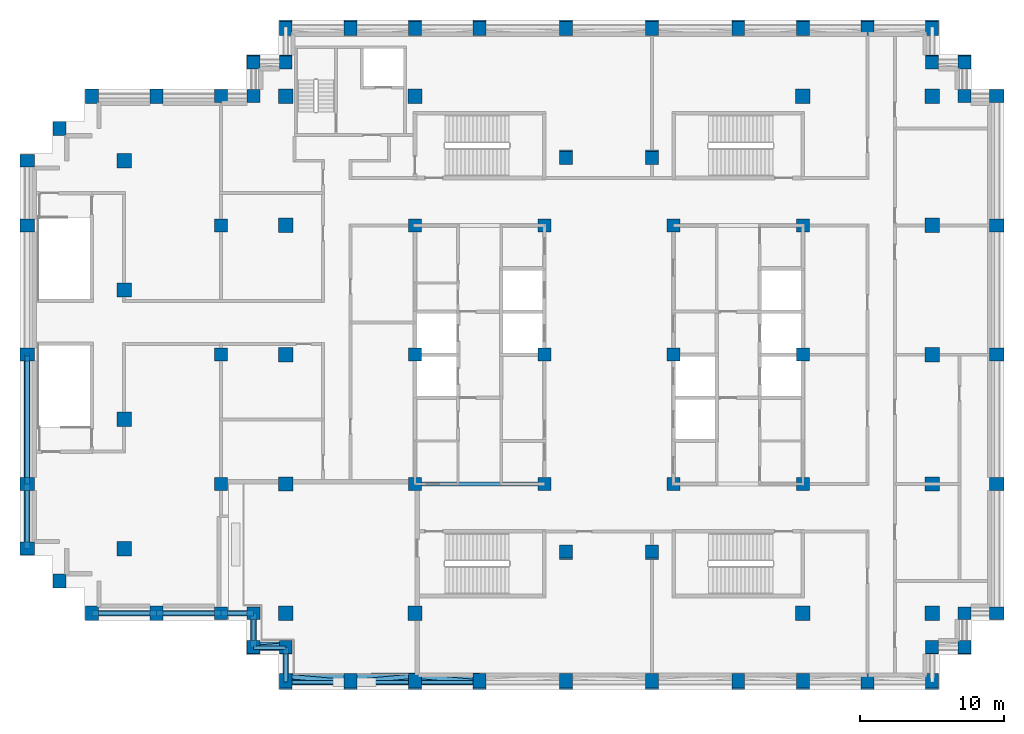
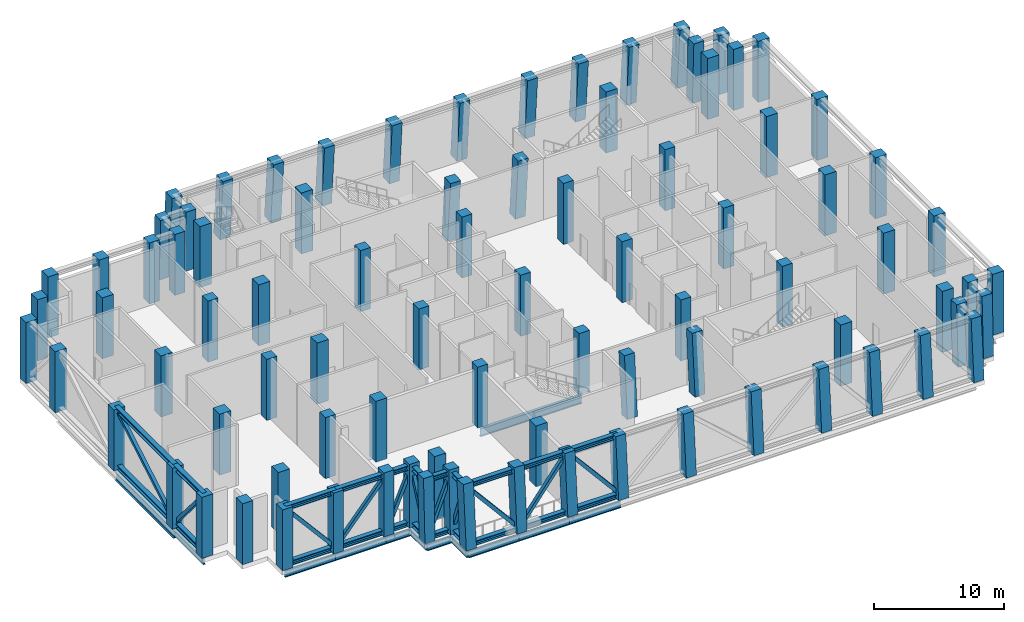
# One storey, part 1 of 10: 87 columns, 33 members, 12 beams.
"""IFC4 building model written with IfcOpenShell, lengths in metres."""

from ifc_helpers import new_model, si_unit, direction, frame, origin, origin_2d, place, context, subcontext, project, spatial, rectangle, hollow_rectangle, i_section, extrude, material, material_profile, profile_set, type_object, element, save


model = new_model("IFC4")

# Units and contexts
model_context = context("Model", 3, precision=1e-05, world=origin(), true_north=direction((0.0, 1.0)))
body_context = subcontext(model_context, "Body", "Model", "MODEL_VIEW")
ifc_project = project(units=[si_unit("LENGTHUNIT", "METRE"), si_unit("AREAUNIT", "SQUARE_METRE"), si_unit("VOLUMEUNIT", "CUBIC_METRE"), si_unit("PLANEANGLEUNIT", "RADIAN"), si_unit("MASSUNIT", "GRAM", prefix="KILO")], contexts=[model_context])

# Site, building, storey
site_placement = place(None, origin())
site = spatial("IfcSite", under=ifc_project, at=site_placement, CompositionType="ELEMENT")
building_placement = place(site_placement, origin())
building = spatial("IfcBuilding", under=site, at=building_placement, Name="Corbelhall Arena Tower", CompositionType="ELEMENT")
storey_placement = place(building_placement, frame((0.0, 0.0, 236.0)))
storey = spatial("IfcBuildingStorey", under=building, at=storey_placement, Name="L50", CompositionType="ELEMENT", Elevation=236.0)

# Columns
ifc_material_1 = material(Name="Concrete C80/95", Category="concrete")
ifc_material_profile_1 = material_profile(ifc_material_1, rectangle(XDim=1.0, YDim=1.0, at=origin_2d()))
ifc_profile_set_1 = profile_set([ifc_material_profile_1], Name="Concrete C80/95")
column_type_1 = type_object("IfcColumnType", Name="ST-COL-RC 1000x1000", PredefinedType="COLUMN", material=ifc_profile_set_1)
for number, where, z_axis, x_axis, name in (
    (1, (-33.75, 4.5, 0.0), (0.0, 0.0, 1.0), (1.0, 0.0, 0.0), "Column FIC+0450"),
    (2, (-33.75, 13.5, 0.0), (0.0, 0.0, 1.0), (1.0, 0.0, 0.0), "Column FIC+1350"),
    (3, (-33.75, -4.5, 0.0), (0.0, 0.0, 1.0), (1.0, 0.0, 0.0), "Column FIC-0450"),
    (4, (-33.75, -13.5, 0.0), (0.0, 0.0, 1.0), (1.0, 0.0, 0.0), "Column FIC-1350"),
    (5, (13.5, 18.0, 0.0), (0.0, 0.0, 1.0), (1.0, 0.0, 0.0), "Column IE13+1800"),
    (6, (13.5, -18.0, 0.0), (0.0, 0.0, 1.0), (1.0, 0.0, 0.0), "Column IE13-1800"),
    (7, (22.5, 0.0, 0.0), (0.0, 0.0, 1.0), (1.0, 0.0, 0.0), "Column IE22+0000"),
    (8, (22.5, 9.0, 0.0), (0.0, 0.0, 1.0), (1.0, 0.0, 0.0), "Column IE22+0900"),
    (9, (22.5, 18.0, 0.0), (0.0, 0.0, 1.0), (1.0, 0.0, 0.0), "Column IE22+1800"),
    (10, (22.5, -9.0, 0.0), (0.0, 0.0, 1.0), (1.0, 0.0, 0.0), "Column IE22-0900"),
    (11, (22.5, -18.0, 0.0), (0.0, 0.0, 1.0), (1.0, 0.0, 0.0), "Column IE22-1800"),
    (12, (-13.5, 18.0, 0.0), (0.0, 0.0, 1.0), (1.0, 0.0, 0.0), "Column IW13+1800"),
    (13, (-13.5, -18.0, 0.0), (0.0, 0.0, 1.0), (1.0, 0.0, 0.0), "Column IW13-1800"),
    (14, (-22.5, 0.0, 0.0), (0.0, 0.0, 1.0), (1.0, 0.0, 0.0), "Column IW22+0000"),
    (15, (-22.5, 9.0, 0.0), (0.0, 0.0, 1.0), (1.0, 0.0, 0.0), "Column IW22+0900"),
    (16, (-22.5, 18.0, 0.0), (0.0, 0.0, 1.0), (1.0, 0.0, 0.0), "Column IW22+1800"),
    (17, (-22.5, -9.0, 0.0), (0.0, 0.0, 1.0), (1.0, 0.0, 0.0), "Column IW22-0900"),
):
    element("IfcColumn", number, at=place(storey_placement, frame(where, z_axis=z_axis, x_axis=x_axis)), inside=storey, type_object=column_type_1, Name=name, PredefinedType="COLUMN", context=body_context, shape_type="SweptSolid", body=[
        extrude(rectangle(XDim=1.0, YDim=1.0, at=origin_2d()), origin(), (0.0, 0.0, 1.0), 5.719970703125),
    ])
column_1_placement = place(storey_placement, frame((-22.5, -18.0, 0.0), z_axis=(0.0, 0.0, 1.0), x_axis=(1.0, 0.0, 0.0)))
element("IfcColumn", 18, at=column_1_placement, inside=storey, type_object=column_type_1, Name="Column IW22-1800", PredefinedType="COLUMN", context=body_context, shape_type="SweptSolid", body=[
    extrude(rectangle(XDim=1.0, YDim=1.0, at=origin_2d()), origin(), (0.0, 0.0, 1.0), 6.0),
])
ifc_material_profile_2 = material_profile(ifc_material_1, rectangle(XDim=0.89990234375, YDim=1.0, at=origin_2d()))
ifc_profile_set_2 = profile_set([ifc_material_profile_2], Name="Concrete C80/95")
column_type_2 = type_object("IfcColumnType", Name="ST-COL-RC 900x1000", PredefinedType="COLUMN", material=ifc_profile_set_2)
for number, where, z_axis, x_axis, name in (
    (19, (-40.5, 0.0, 0.0), (0.0, 0.0, 1.0), (0.0, 1.0, 0.0), "Column FC+0000"),
    (20, (-40.5, 9.0, 0.0), (0.0, 0.0, 1.0), (0.0, 1.0, 0.0), "Column FC+0900"),
    (21, (-40.5, 13.5, 0.0), (0.0, 0.0, 1.0), (0.0, 1.0, 0.0), "Column FC+1350"),
    (22, (-40.5, -9.0, 0.0), (0.0, 0.0, 1.0), (0.0, 1.0, 0.0), "Column FC-0900"),
    (23, (-40.5, -13.5, 0.0), (0.0, 0.0, 1.0), (0.0, 1.0, 0.0), "Column FC-1350"),
    (24, (-38.25, 15.75, 0.0), (0.0, 0.0, 1.0), (1.0, 0.0, 0.0), "Column FCCN"),
    (25, (-38.25, -15.75, 0.0), (0.0, 0.0, 1.0), (1.0, 0.0, 0.0), "Column FCCS"),
    (26, (-31.5, 18.0, 0.0), (0.0, 0.0, 1.0), (1.0, 0.0, 0.0), "Column FCN3150"),
    (27, (-36.0, 18.0, 0.0), (0.0, 0.0, 1.0), (1.0, 0.0, 0.0), "Column FCN3600"),
    (28, (-31.5, -18.0, 0.0), (0.0, 0.0, 1.0), (1.0, 0.0, 0.0), "Column FCS3150"),
    (29, (-36.0, -18.0, 0.0), (0.0, 0.0, 1.0), (1.0, 0.0, 0.0), "Column FCS3600"),
    (30, (27.0, 0.0, 0.0), (0.0, 0.0, 1.0), (0.0, 1.0, 0.0), "Column PE+0000"),
    (31, (27.0, 9.0, 0.0), (0.0, 0.0, 1.0), (0.0, 1.0, 0.0), "Column PE+0900"),
    (32, (27.0, 18.0, 0.0), (0.0, 0.0, 1.0), (0.0, 1.0, 0.0), "Column PE+1800"),
    (33, (27.0, -9.0, 0.0), (0.0, 0.0, 1.0), (0.0, 1.0, 0.0), "Column PE-0900"),
    (34, (27.0, -18.0, 0.0), (0.0, 0.0, 1.0), (0.0, 1.0, 0.0), "Column PE-1800"),
):
    element("IfcColumn", number, at=place(storey_placement, frame(where, z_axis=z_axis, x_axis=x_axis)), inside=storey, type_object=column_type_2, Name=name, PredefinedType="COLUMN", context=body_context, shape_type="SweptSolid", body=[
        extrude(rectangle(XDim=0.89990234375, YDim=1.0, at=origin_2d()), origin(), (0.0, 0.0, 1.0), 5.719970703125),
    ])
for number, where, z_axis, x_axis, name in (
    (35, (3.0, 22.800048828125, 0.0), (0.0, -0.078420938975, 0.996920336), (1.0, 0.0, 0.0), "Column PNE0300"),
    (36, (9.0, 22.800048828125, 0.0), (0.0, -0.078420938975, 0.996920336), (1.0, 0.0, 0.0), "Column PNE0900"),
    (37, (13.5, 22.800048828125, 0.0), (0.0, -0.078420938975, 0.996920336), (1.0, 0.0, 0.0), "Column PNE1350"),
    (38, (18.0, 22.800048828125, 0.0), (0.0, -0.078420938975, 0.996920336), (1.0, 0.0, 0.0), "Column PNE1800"),
    (39, (22.5, 22.800048828125, 0.0), (0.0, -0.078420938975, 0.996920336), (1.0, 0.0, 0.0), "Column PNE2250"),
    (40, (-3.0, 22.800048828125, 0.0), (0.0, -0.078420938975, 0.996920336), (1.0, 0.0, 0.0), "Column PNW0300"),
    (41, (-9.0, 22.800048828125, 0.0), (0.0, -0.078420938975, 0.996920336), (1.0, 0.0, 0.0), "Column PNW0900"),
    (42, (-13.5, 22.800048828125, 0.0), (0.0, -0.078420938975, 0.996920336), (1.0, 0.0, 0.0), "Column PNW1350"),
    (43, (-18.0, 22.800048828125, 0.0), (0.0, -0.078420938975, 0.996920336), (1.0, 0.0, 0.0), "Column PNW1800"),
    (44, (-22.5, 22.800048828125, 0.0), (0.0, -0.078420938975, 0.996920336), (1.0, 0.0, 0.0), "Column PNW2250"),
    (45, (3.0, -22.800048828125, 0.0), (0.0, 0.078420938975, 0.996920336), (-1.0, 0.0, 0.0), "Column PSE0300"),
    (46, (9.0, -22.800048828125, 0.0), (0.0, 0.078420938975, 0.996920336), (-1.0, 0.0, 0.0), "Column PSE0900"),
    (47, (13.5, -22.800048828125, 0.0), (0.0, 0.078420938975, 0.996920336), (-1.0, 0.0, 0.0), "Column PSE1350"),
    (48, (18.0, -22.800048828125, 0.0), (0.0, 0.078420938975, 0.996920336), (-1.0, 0.0, 0.0), "Column PSE1800"),
    (49, (22.5, -22.800048828125, 0.0), (0.0, 0.078420938975, 0.996920336), (-1.0, 0.0, 0.0), "Column PSE2250"),
    (50, (-3.0, -22.800048828125, 0.0), (0.0, 0.078420938975, 0.996920336), (-1.0, 0.0, 0.0), "Column PSW0300"),
    (51, (-9.0, -22.800048828125, 0.0), (0.0, 0.078420938975, 0.996920336), (-1.0, 0.0, 0.0), "Column PSW0900"),
    (52, (-13.5, -22.800048828125, 0.0), (0.0, 0.078420938975, 0.996920336), (-1.0, 0.0, 0.0), "Column PSW1350"),
):
    element("IfcColumn", number, at=place(storey_placement, frame(where, z_axis=z_axis, x_axis=x_axis)), inside=storey, type_object=column_type_2, Name=name, PredefinedType="COLUMN", context=body_context, shape_type="SweptSolid", body=[
        extrude(rectangle(XDim=0.89990234375, YDim=1.0, at=origin_2d()), origin(), (0.0, 0.0, 1.0), 5.737548828125),
    ])
for number, where, z_axis, x_axis, name in (
    (53, (-18.0, -22.800048828125, 0.0), (0.0, 0.075312101472, 0.997160010917), (-1.0, 0.0, 0.0), "Column PSW1800"),
    (54, (-22.5, -22.800048828125, 0.0), (0.0, 0.075312101472, 0.997160010917), (-1.0, 0.0, 0.0), "Column PSW2250"),
):
    element("IfcColumn", number, at=place(storey_placement, frame(where, z_axis=z_axis, x_axis=x_axis)), inside=storey, type_object=column_type_2, Name=name, PredefinedType="COLUMN", context=body_context, shape_type="SweptSolid", body=[
        extrude(rectangle(XDim=0.89990234375, YDim=1.0, at=origin_2d()), origin(), (0.0, 0.0, 1.0), 5.974365234375),
    ])
ifc_material_profile_3 = material_profile(ifc_material_1, rectangle(XDim=0.89990234375, YDim=0.89990234375, at=origin_2d()))
ifc_profile_set_3 = profile_set([ifc_material_profile_3], Name="Concrete C80/95")
column_type_3 = type_object("IfcColumnType", Name="ST-COL-RC 900x900", PredefinedType="COLUMN", material=ifc_profile_set_3)
for number, where, z_axis, x_axis, name in (
    (55, (4.5, 0.0, 0.0), (0.0, 0.0, 1.0), (1.0, 0.0, 0.0), "Column KE+0450+0000"),
    (56, (4.5, 9.0, 0.0), (0.0, 0.0, 1.0), (1.0, 0.0, 0.0), "Column KE+0450+0900"),
    (57, (4.5, -9.0, 0.0), (0.0, 0.0, 1.0), (1.0, 0.0, 0.0), "Column KE+0450-0900"),
    (58, (13.5, 0.0, 0.0), (0.0, 0.0, 1.0), (1.0, 0.0, 0.0), "Column KE+1350+0000"),
    (59, (13.5, 9.0, 0.0), (0.0, 0.0, 1.0), (1.0, 0.0, 0.0), "Column KE+1350+0900"),
    (60, (13.5, -9.0, 0.0), (0.0, 0.0, 1.0), (1.0, 0.0, 0.0), "Column KE+1350-0900"),
    (61, (-4.5, 0.0, 0.0), (0.0, 0.0, 1.0), (1.0, 0.0, 0.0), "Column KW-0450+0000"),
    (62, (-4.5, 9.0, 0.0), (0.0, 0.0, 1.0), (1.0, 0.0, 0.0), "Column KW-0450+0900"),
    (63, (-4.5, -9.0, 0.0), (0.0, 0.0, 1.0), (1.0, 0.0, 0.0), "Column KW-0450-0900"),
    (64, (-13.5, 0.0, 0.0), (0.0, 0.0, 1.0), (1.0, 0.0, 0.0), "Column KW-1350+0000"),
    (65, (-13.5, 9.0, 0.0), (0.0, 0.0, 1.0), (1.0, 0.0, 0.0), "Column KW-1350+0900"),
    (66, (-13.5, -9.0, 0.0), (0.0, 0.0, 1.0), (1.0, 0.0, 0.0), "Column KW-1350-0900"),
    (67, (-27.0, 0.0, 0.0), (0.0, 0.0, 1.0), (1.0, 0.0, 0.0), "Column PW+0000"),
    (68, (-27.0, 9.0, 0.0), (0.0, 0.0, 1.0), (1.0, 0.0, 0.0), "Column PW+0900"),
    (69, (-27.0, 18.0, 0.0), (0.0, 0.0, 1.0), (1.0, 0.0, 0.0), "Column PW+1800"),
    (70, (-27.0, -9.0, 0.0), (0.0, 0.0, 1.0), (1.0, 0.0, 0.0), "Column PW-0900"),
):
    element("IfcColumn", number, at=place(storey_placement, frame(where, z_axis=z_axis, x_axis=x_axis)), inside=storey, type_object=column_type_3, Name=name, PredefinedType="COLUMN", context=body_context, shape_type="SweptSolid", body=[
        extrude(rectangle(XDim=0.89990234375, YDim=0.89990234375, at=origin_2d()), origin(), (0.0, 0.0, 1.0), 5.719970703125),
    ])
column_2_placement = place(storey_placement, frame((-27.0, -18.0, 0.0), z_axis=(0.0, 0.0, 1.0), x_axis=(1.0, 0.0, 0.0)))
element("IfcColumn", 71, at=column_2_placement, inside=storey, type_object=column_type_3, Name="Column PW-1800", PredefinedType="COLUMN", context=body_context, shape_type="SweptSolid", body=[
    extrude(rectangle(XDim=0.89990234375, YDim=0.89990234375, at=origin_2d()), origin(), (0.0, 0.0, 1.0), 6.0),
])
for number, where, z_axis, x_axis, name in (
    (72, (3.0, 13.800048828125, 0.0), (0.0, -0.078420938975, 0.996920336), (1.0, 0.0, 0.0), "Column SLNE2"),
    (73, (-3.0, 13.800048828125, 0.0), (0.0, -0.078420938975, 0.996920336), (1.0, 0.0, 0.0), "Column SLNW2"),
    (74, (3.0, -13.800048828125, 0.0), (0.0, 0.078420938975, 0.996920336), (-1.0, 0.0, 0.0), "Column SLSE2"),
    (75, (-3.0, -13.800048828125, 0.0), (0.0, 0.078420938975, 0.996920336), (-1.0, 0.0, 0.0), "Column SLSW2"),
):
    element("IfcColumn", number, at=place(storey_placement, frame(where, z_axis=z_axis, x_axis=x_axis)), inside=storey, type_object=column_type_3, Name=name, PredefinedType="COLUMN", context=body_context, shape_type="SweptSolid", body=[
        extrude(rectangle(XDim=0.89990234375, YDim=0.89990234375, at=origin_2d()), origin(), (0.0, 0.0, 1.0), 5.737548828125),
    ])
for number, where, z_axis, x_axis, name in (
    (76, (22.5, 20.39990234375, 0.0), (0.0, -0.03927991868, 0.999228246192), (1.0, 0.0, 0.0), "Column XNE1"),
    (77, (24.75, 20.39990234375, 0.0), (0.0, -0.03927991868, 0.999228246192), (1.0, 0.0, 0.0), "Column XNE2"),
):
    element("IfcColumn", number, at=place(storey_placement, frame(where, z_axis=z_axis, x_axis=x_axis)), inside=storey, type_object=column_type_3, Name=name, PredefinedType="COLUMN", context=body_context, shape_type="SweptSolid", body=[
        extrude(rectangle(XDim=0.89990234375, YDim=0.89990234375, at=origin_2d()), origin(), (0.0, 0.0, 1.0), 5.724365234375),
    ])
column_3_placement = place(storey_placement, frame((24.75, 18.0, 0.0), z_axis=(0.0, 0.0, 1.0), x_axis=(1.0, 0.0, 0.0)))
element("IfcColumn", 78, at=column_3_placement, inside=storey, type_object=column_type_3, Name="Column XNE3", PredefinedType="COLUMN", context=body_context, shape_type="SweptSolid", body=[
    extrude(rectangle(XDim=0.89990234375, YDim=0.89990234375, at=origin_2d()), origin(), (0.0, 0.0, 1.0), 5.719970703125),
])
for number, where, z_axis, x_axis, name in (
    (79, (-22.5, 20.39990234375, 0.0), (0.0, -0.03927991868, 0.999228246192), (1.0, 0.0, 0.0), "Column XNW1"),
    (80, (-24.75, 20.39990234375, 0.0), (0.0, -0.03927991868, 0.999228246192), (1.0, 0.0, 0.0), "Column XNW2"),
):
    element("IfcColumn", number, at=place(storey_placement, frame(where, z_axis=z_axis, x_axis=x_axis)), inside=storey, type_object=column_type_3, Name=name, PredefinedType="COLUMN", context=body_context, shape_type="SweptSolid", body=[
        extrude(rectangle(XDim=0.89990234375, YDim=0.89990234375, at=origin_2d()), origin(), (0.0, 0.0, 1.0), 5.724365234375),
    ])
column_4_placement = place(storey_placement, frame((-24.75, 18.0, 0.0), z_axis=(0.0, 0.0, 1.0), x_axis=(1.0, 0.0, 0.0)))
element("IfcColumn", 81, at=column_4_placement, inside=storey, type_object=column_type_3, Name="Column XNW3", PredefinedType="COLUMN", context=body_context, shape_type="SweptSolid", body=[
    extrude(rectangle(XDim=0.89990234375, YDim=0.89990234375, at=origin_2d()), origin(), (0.0, 0.0, 1.0), 5.719970703125),
])
for number, where, z_axis, x_axis, name in (
    (82, (22.5, -20.39990234375, 0.0), (0.0, 0.03927991868, 0.999228246192), (-1.0, 0.0, 0.0), "Column XSE1"),
    (83, (24.75, -20.39990234375, 0.0), (0.0, 0.03927991868, 0.999228246192), (-1.0, 0.0, 0.0), "Column XSE2"),
):
    element("IfcColumn", number, at=place(storey_placement, frame(where, z_axis=z_axis, x_axis=x_axis)), inside=storey, type_object=column_type_3, Name=name, PredefinedType="COLUMN", context=body_context, shape_type="SweptSolid", body=[
        extrude(rectangle(XDim=0.89990234375, YDim=0.89990234375, at=origin_2d()), origin(), (0.0, 0.0, 1.0), 5.724365234375),
    ])
column_5_placement = place(storey_placement, frame((24.75, -18.0, 0.0), z_axis=(0.0, 0.0, 1.0), x_axis=(1.0, 0.0, 0.0)))
element("IfcColumn", 84, at=column_5_placement, inside=storey, type_object=column_type_3, Name="Column XSE3", PredefinedType="COLUMN", context=body_context, shape_type="SweptSolid", body=[
    extrude(rectangle(XDim=0.89990234375, YDim=0.89990234375, at=origin_2d()), origin(), (0.0, 0.0, 1.0), 5.719970703125),
])
for number, where, z_axis, x_axis, name in (
    (85, (-22.5, -20.39990234375, 0.0), (0.0, 0.037586751299, 0.999293368399), (-1.0, 0.0, 0.0), "Column XSW1"),
    (86, (-24.75, -20.39990234375, 0.0), (0.0, 0.037586751299, 0.999293368399), (-1.0, 0.0, 0.0), "Column XSW2"),
):
    element("IfcColumn", number, at=place(storey_placement, frame(where, z_axis=z_axis, x_axis=x_axis)), inside=storey, type_object=column_type_3, Name=name, PredefinedType="COLUMN", context=body_context, shape_type="SweptSolid", body=[
        extrude(rectangle(XDim=0.89990234375, YDim=0.89990234375, at=origin_2d()), origin(), (0.0, 0.0, 1.0), 5.982177734375),
    ])
column_6_placement = place(storey_placement, frame((-24.75, -18.0, 0.0), z_axis=(0.0, 0.0, 1.0), x_axis=(1.0, 0.0, 0.0)))
element("IfcColumn", 87, at=column_6_placement, inside=storey, type_object=column_type_3, Name="Column XSW3", PredefinedType="COLUMN", context=body_context, shape_type="SweptSolid", body=[
    extrude(rectangle(XDim=0.89990234375, YDim=0.89990234375, at=origin_2d()), origin(), (0.0, 0.0, 1.0), 6.0),
])

# Beam
ifc_material_2 = material(Name="Steel ASTM A992 Gr50", Category="steel")
ifc_material_profile_4 = material_profile(ifc_material_2, i_section(OverallWidth=0.2666015625, OverallDepth=0.761962890625, WebThickness=0.014404296875, FlangeThickness=0.021484375, at=origin_2d()))
ifc_profile_set_4 = profile_set([ifc_material_profile_4], Name="Steel ASTM A992 Gr50")
beam_type_1 = type_object("IfcBeamType", Name="ST-BEAM-W30x116", PredefinedType="BEAM", material=ifc_profile_set_4)
beam_1_placement = place(storey_placement, frame((-13.5, -9.0, -0.781494140625), z_axis=(1.0, 0.0, 0.0), x_axis=(0.0, 1.0, 0.0)))
element("IfcBeam", 88, at=beam_1_placement, inside=storey, type_object=beam_type_1, Name="Beam CEW 5", PredefinedType="BEAM", context=body_context, shape_type="SweptSolid", body=[
    extrude(i_section(OverallWidth=0.2666015625, OverallDepth=0.761962890625, WebThickness=0.014404296875, FlangeThickness=0.021484375, at=origin_2d()), origin(), (0.0, 0.0, 1.0), 9.0),
])

# Members
ifc_material_3 = material(Name="Steel ASTM A913 Gr65", Category="steel")
ifc_material_profile_5 = material_profile(ifc_material_3, i_section(OverallWidth=0.411376953125, OverallDepth=0.434326171875, WebThickness=0.035888671875, FlangeThickness=0.057373046875, at=origin_2d()))
ifc_profile_set_5 = profile_set([ifc_material_profile_5], Name="Steel ASTM A913 Gr65")
member_type_1 = type_object("IfcMemberType", Name="ST-CHORD-W14x311", PredefinedType="CHORD", material=ifc_profile_set_5)
for number, where, z_axis, x_axis, name in (
    (89, (-40.5, -9.0, 0.21728515625), (0.0, 1.0, 0.0), (-1.0, 0.0, 0.0), "Truss chord BC 3"),
    (90, (-40.5, -9.0, 5.5029296875), (0.0, 1.0, 0.0), (-1.0, 0.0, 0.0), "Truss chord TC 3"),
):
    element("IfcMember", number, at=place(storey_placement, frame(where, z_axis=z_axis, x_axis=x_axis)), inside=storey, type_object=member_type_1, Name=name, PredefinedType="CHORD", context=body_context, shape_type="SweptSolid", body=[
        extrude(i_section(OverallWidth=0.411376953125, OverallDepth=0.434326171875, WebThickness=0.035888671875, FlangeThickness=0.057373046875, at=origin_2d()), origin(), (0.0, 0.0, 1.0), 9.0),
    ])
for number, where, z_axis, x_axis, name in (
    (91, (-40.5, -13.5, 0.21728515625), (0.0, 1.0, 0.0), (-1.0, 0.0, 0.0), "Truss chord BC 4"),
    (92, (-40.5, -13.5, 5.5029296875), (0.0, 1.0, 0.0), (-1.0, 0.0, 0.0), "Truss chord TC 4"),
    (93, (-31.5, -18.0, 0.21728515625), (-1.0, 0.0, 0.0), (0.0, -1.0, 0.0), "Truss chord BC 7"),
    (94, (-31.5, -18.0, 5.5029296875), (-1.0, 0.0, 0.0), (0.0, -1.0, 0.0), "Truss chord TC 7"),
    (95, (-9.0, -22.782958984375, 0.21728515625), (-1.0, 0.0, 0.0), (0.0, -1.0, 0.0), "Truss chord BC 29"),
    (96, (-9.0, -22.3671875, 5.5029296875), (-1.0, 0.0, 0.0), (0.0, -1.0, 0.0), "Truss chord TC 29"),
    (97, (-13.5, -22.782958984375, 0.21728515625), (-0.999999986755, -0.000162760415, 0.0), (0.000162760415, -0.999999986755, 0.0), "Truss chord BC 30"),
    (98, (-13.5, -22.3671875, 5.5029296875), (-0.999990104304, -0.004448740698, 0.0), (0.004448740698, -0.999990104304, 0.0), "Truss chord TC 30"),
    (99, (-18.0, -22.78369140625, 0.21728515625), (-1.0, 0.0, 0.0), (0.0, -1.0, 0.0), "Truss chord BC 31"),
    (100, (-18.0, -22.38720703125, 5.5029296875), (-1.0, 0.0, 0.0), (0.0, -1.0, 0.0), "Truss chord TC 31"),
):
    element("IfcMember", number, at=place(storey_placement, frame(where, z_axis=z_axis, x_axis=x_axis)), inside=storey, type_object=member_type_1, Name=name, PredefinedType="CHORD", context=body_context, shape_type="SweptSolid", body=[
        extrude(i_section(OverallWidth=0.411376953125, OverallDepth=0.434326171875, WebThickness=0.035888671875, FlangeThickness=0.057373046875, at=origin_2d()), origin(), (0.0, 0.0, 1.0), 4.5),
    ])
member_1_placement = place(storey_placement, frame((-22.5, -22.78369140625, 0.21728515625), z_axis=(0.0, 1.0, 0.0), x_axis=(-1.0, 0.0, 0.0)))
element("IfcMember", 101, at=member_1_placement, inside=storey, type_object=member_type_1, Name="Truss chord BC 32", PredefinedType="CHORD", context=body_context, shape_type="SweptSolid", body=[
    extrude(i_section(OverallWidth=0.411376953125, OverallDepth=0.434326171875, WebThickness=0.035888671875, FlangeThickness=0.057373046875, at=origin_2d()), origin(), (0.0, 0.0, 1.0), 2.391845703125),
])
member_2_placement = place(storey_placement, frame((-22.5, -22.38720703125, 5.5029296875), z_axis=(0.0, 1.0, 0.0), x_axis=(-1.0, 0.0, 0.0)))
element("IfcMember", 102, at=member_2_placement, inside=storey, type_object=member_type_1, Name="Truss chord TC 32", PredefinedType="CHORD", context=body_context, shape_type="SweptSolid", body=[
    extrude(i_section(OverallWidth=0.411376953125, OverallDepth=0.434326171875, WebThickness=0.035888671875, FlangeThickness=0.057373046875, at=origin_2d()), origin(), (0.0, 0.0, 1.0), 2.193603515625),
])
for number, where, z_axis, x_axis, name in (
    (103, (-27.0, -18.0, 0.21728515625), (-1.0, 0.0, 0.0), (0.0, -1.0, 0.0), "Truss chord BC 34"),
    (104, (-27.0, -18.0, 5.5029296875), (-1.0, 0.0, 0.0), (0.0, -1.0, 0.0), "Truss chord TC 34"),
):
    element("IfcMember", number, at=place(storey_placement, frame(where, z_axis=z_axis, x_axis=x_axis)), inside=storey, type_object=member_type_1, Name=name, PredefinedType="CHORD", context=body_context, shape_type="SweptSolid", body=[
        extrude(i_section(OverallWidth=0.411376953125, OverallDepth=0.434326171875, WebThickness=0.035888671875, FlangeThickness=0.057373046875, at=origin_2d()), origin(), (0.0, 0.0, 1.0), 4.5),
    ])
for number, where, z_axis, x_axis, name in (
    (105, (-22.5, -20.391845703125, 0.21728515625), (-1.0, 0.0, 0.0), (0.0, -1.0, 0.0), "Truss chord BC 44"),
    (106, (-22.5, -20.193603515625, 5.5029296875), (-1.0, 0.0, 0.0), (0.0, -1.0, 0.0), "Truss chord TC 44"),
):
    element("IfcMember", number, at=place(storey_placement, frame(where, z_axis=z_axis, x_axis=x_axis)), inside=storey, type_object=member_type_1, Name=name, PredefinedType="CHORD", context=body_context, shape_type="SweptSolid", body=[
        extrude(i_section(OverallWidth=0.411376953125, OverallDepth=0.434326171875, WebThickness=0.035888671875, FlangeThickness=0.057373046875, at=origin_2d()), origin(), (0.0, 0.0, 1.0), 2.25),
    ])
member_3_placement = place(storey_placement, frame((-24.75, -20.391845703125, 0.21728515625), z_axis=(0.0, 1.0, 0.0), x_axis=(-1.0, 0.0, 0.0)))
element("IfcMember", 107, at=member_3_placement, inside=storey, type_object=member_type_1, Name="Truss chord BC 45", PredefinedType="CHORD", context=body_context, shape_type="SweptSolid", body=[
    extrude(i_section(OverallWidth=0.411376953125, OverallDepth=0.434326171875, WebThickness=0.035888671875, FlangeThickness=0.057373046875, at=origin_2d()), origin(), (0.0, 0.0, 1.0), 2.391845703125),
])
member_4_placement = place(storey_placement, frame((-24.75, -20.193603515625, 5.5029296875), z_axis=(0.0, 1.0, 0.0), x_axis=(-1.0, 0.0, 0.0)))
element("IfcMember", 108, at=member_4_placement, inside=storey, type_object=member_type_1, Name="Truss chord TC 45", PredefinedType="CHORD", context=body_context, shape_type="SweptSolid", body=[
    extrude(i_section(OverallWidth=0.411376953125, OverallDepth=0.434326171875, WebThickness=0.035888671875, FlangeThickness=0.057373046875, at=origin_2d()), origin(), (0.0, 0.0, 1.0), 2.193603515625),
])
for number, where, z_axis, x_axis, name in (
    (109, (-24.75, -18.0, 0.21728515625), (-1.0, 0.0, 0.0), (0.0, -1.0, 0.0), "Truss chord BC 46"),
    (110, (-24.75, -18.0, 5.5029296875), (-1.0, 0.0, 0.0), (0.0, -1.0, 0.0), "Truss chord TC 46"),
):
    element("IfcMember", number, at=place(storey_placement, frame(where, z_axis=z_axis, x_axis=x_axis)), inside=storey, type_object=member_type_1, Name=name, PredefinedType="CHORD", context=body_context, shape_type="SweptSolid", body=[
        extrude(i_section(OverallWidth=0.411376953125, OverallDepth=0.434326171875, WebThickness=0.035888671875, FlangeThickness=0.057373046875, at=origin_2d()), origin(), (0.0, 0.0, 1.0), 2.25),
    ])

# Beams
ifc_material_profile_6 = material_profile(ifc_material_2, i_section(OverallWidth=0.228271484375, OverallDepth=0.607177734375, WebThickness=0.01123046875, FlangeThickness=0.017333984375, at=origin_2d()))
ifc_profile_set_6 = profile_set([ifc_material_profile_6], Name="Steel ASTM A992 Gr50")
beam_type_2 = type_object("IfcBeamType", Name="ST-SPANDREL-W24x76", PredefinedType="SPANDREL", material=ifc_profile_set_6)
for number, where, z_axis, x_axis, name in (
    (111, (-40.5, -13.5, -0.703857421875), (0.0, 1.0, 0.0), (-1.0, 0.0, 0.0), "Beam SP 4"),
    (112, (-31.5, -18.0, -0.703857421875), (-1.0, 0.0, 0.0), (0.0, -1.0, 0.0), "Beam SP 7"),
    (113, (-9.0, -22.800048828125, -0.703857421875), (-1.0, 0.0, 0.0), (0.0, -1.0, 0.0), "Beam SP 29"),
    (114, (-13.5, -22.800048828125, -0.703857421875), (-1.0, 0.0, 0.0), (0.0, -1.0, 0.0), "Beam SP 30"),
    (115, (-18.0, -22.800048828125, -0.703857421875), (-1.0, 0.0, 0.0), (0.0, -1.0, 0.0), "Beam SP 31"),
):
    element("IfcBeam", number, at=place(storey_placement, frame(where, z_axis=z_axis, x_axis=x_axis)), inside=storey, type_object=beam_type_2, Name=name, PredefinedType="SPANDREL", context=body_context, shape_type="SweptSolid", body=[
        extrude(i_section(OverallWidth=0.228271484375, OverallDepth=0.607177734375, WebThickness=0.01123046875, FlangeThickness=0.017333984375, at=origin_2d()), origin(), (0.0, 0.0, 1.0), 4.5),
    ])
beam_2_placement = place(storey_placement, frame((-22.5, -22.800048828125, -0.703857421875), z_axis=(0.0, 1.0, 0.0), x_axis=(-1.0, 0.0, 0.0)))
element("IfcBeam", 116, at=beam_2_placement, inside=storey, type_object=beam_type_2, Name="Beam SP 32", PredefinedType="SPANDREL", context=body_context, shape_type="SweptSolid", body=[
    extrude(i_section(OverallWidth=0.228271484375, OverallDepth=0.607177734375, WebThickness=0.01123046875, FlangeThickness=0.017333984375, at=origin_2d()), origin(), (0.0, 0.0, 1.0), 2.400146484375),
])
beam_3_placement = place(storey_placement, frame((-27.0, -18.0, -0.703857421875), z_axis=(-1.0, 0.0, 0.0), x_axis=(0.0, -1.0, 0.0)))
element("IfcBeam", 117, at=beam_3_placement, inside=storey, type_object=beam_type_2, Name="Beam SP 34", PredefinedType="SPANDREL", context=body_context, shape_type="SweptSolid", body=[
    extrude(i_section(OverallWidth=0.228271484375, OverallDepth=0.607177734375, WebThickness=0.01123046875, FlangeThickness=0.017333984375, at=origin_2d()), origin(), (0.0, 0.0, 1.0), 4.5),
])
beam_4_placement = place(storey_placement, frame((-22.5, -20.39990234375, -0.703857421875), z_axis=(-1.0, 0.0, 0.0), x_axis=(0.0, -1.0, 0.0)))
element("IfcBeam", 118, at=beam_4_placement, inside=storey, type_object=beam_type_2, Name="Beam SP 44", PredefinedType="SPANDREL", context=body_context, shape_type="SweptSolid", body=[
    extrude(i_section(OverallWidth=0.228271484375, OverallDepth=0.607177734375, WebThickness=0.01123046875, FlangeThickness=0.017333984375, at=origin_2d()), origin(), (0.0, 0.0, 1.0), 2.25),
])
beam_5_placement = place(storey_placement, frame((-24.75, -20.39990234375, -0.703857421875), z_axis=(0.0, 1.0, 0.0), x_axis=(-1.0, 0.0, 0.0)))
element("IfcBeam", 119, at=beam_5_placement, inside=storey, type_object=beam_type_2, Name="Beam SP 45", PredefinedType="SPANDREL", context=body_context, shape_type="SweptSolid", body=[
    extrude(i_section(OverallWidth=0.228271484375, OverallDepth=0.607177734375, WebThickness=0.01123046875, FlangeThickness=0.017333984375, at=origin_2d()), origin(), (0.0, 0.0, 1.0), 2.39990234375),
])
beam_6_placement = place(storey_placement, frame((-24.75, -18.0, -0.703857421875), z_axis=(-1.0, 0.0, 0.0), x_axis=(0.0, -1.0, 0.0)))
element("IfcBeam", 120, at=beam_6_placement, inside=storey, type_object=beam_type_2, Name="Beam SP 46", PredefinedType="SPANDREL", context=body_context, shape_type="SweptSolid", body=[
    extrude(i_section(OverallWidth=0.228271484375, OverallDepth=0.607177734375, WebThickness=0.01123046875, FlangeThickness=0.017333984375, at=origin_2d()), origin(), (0.0, 0.0, 1.0), 2.25),
])
ifc_material_profile_7 = material_profile(ifc_material_2, i_section(OverallWidth=0.2919921875, OverallDepth=0.845703125, WebThickness=0.015380859375, FlangeThickness=0.0244140625, at=origin_2d()))
ifc_profile_set_7 = profile_set([ifc_material_profile_7], Name="Steel ASTM A992 Gr50")
beam_type_3 = type_object("IfcBeamType", Name="ST-SPANDREL-W33x141", PredefinedType="SPANDREL", material=ifc_profile_set_7)
beam_7_placement = place(storey_placement, frame((-40.5, -9.0, -0.8232421875), z_axis=(0.0, 1.0, 0.0), x_axis=(-1.0, 0.0, 0.0)))
element("IfcBeam", 121, at=beam_7_placement, inside=storey, type_object=beam_type_3, Name="Beam SP 3", PredefinedType="SPANDREL", context=body_context, shape_type="SweptSolid", body=[
    extrude(i_section(OverallWidth=0.2919921875, OverallDepth=0.845703125, WebThickness=0.015380859375, FlangeThickness=0.0244140625, at=origin_2d()), origin(), (0.0, 0.0, 1.0), 9.0),
])

# Members
ifc_material_4 = material(Name="Steel ASTM A500 Gr C", Category="steel")
ifc_material_profile_8 = material_profile(ifc_material_4, hollow_rectangle(XDim=0.3046875, YDim=0.3046875, WallThickness=0.0146484375, at=origin_2d()))
ifc_profile_set_8 = profile_set([ifc_material_profile_8], Name="Steel ASTM A500 Gr C")
member_type_2 = type_object("IfcMemberType", Name="ST-STRUT-HSS12x12x5/8", PredefinedType="STRUT", material=ifc_profile_set_8)
member_5_placement = place(storey_placement, frame((-40.5, -9.0, 0.21728515625), z_axis=(0.0, 0.862288778887, 0.506416885387), x_axis=(-1.0, 0.0, 0.0)))
element("IfcMember", 122, at=member_5_placement, inside=storey, type_object=member_type_2, Name="Truss diagonal 3", PredefinedType="STRUT", context=body_context, shape_type="SweptSolid", body=[
    extrude(hollow_rectangle(XDim=0.3046875, YDim=0.3046875, WallThickness=0.0146484375, at=origin_2d()), origin(), (0.0, 0.0, 1.0), 10.437255859375),
])
for number, where, z_axis, x_axis, name in (
    (123, (-40.5, -9.0, 0.21728515625), (0.0, -0.648250545956, 0.761427100692), (1.0, 0.0, 0.0), "Truss diagonal 4"),
    (124, (-31.5, -18.0, 0.21728515625), (-0.648250545956, 0.0, 0.761427100692), (0.0, -1.0, 0.0), "Truss diagonal 7"),
):
    element("IfcMember", number, at=place(storey_placement, frame(where, z_axis=z_axis, x_axis=x_axis)), inside=storey, type_object=member_type_2, Name=name, PredefinedType="STRUT", context=body_context, shape_type="SweptSolid", body=[
        extrude(hollow_rectangle(XDim=0.3046875, YDim=0.3046875, WallThickness=0.0146484375, at=origin_2d()), origin(), (0.0, 0.0, 1.0), 6.941650390625),
    ])
member_6_placement = place(storey_placement, frame((-9.0, -22.782958984375, 0.21728515625), z_axis=(-0.647090923806, 0.05978710087, 0.760065022809), x_axis=(-0.09200180689, -0.995758840046, 0.0)))
element("IfcMember", 125, at=member_6_placement, inside=storey, type_object=member_type_2, Name="Truss diagonal 29", PredefinedType="STRUT", context=body_context, shape_type="SweptSolid", body=[
    extrude(hollow_rectangle(XDim=0.3046875, YDim=0.3046875, WallThickness=0.0146484375, at=origin_2d()), origin(), (0.0, 0.0, 1.0), 6.9541015625),
])
member_7_placement = place(storey_placement, frame((-18.0, -22.78369140625, 0.21728515625), z_axis=(0.647086845638, 0.059892044198, 0.760060232642), x_axis=(-0.092162501602, 0.995743979795, 0.0)))
element("IfcMember", 126, at=member_7_placement, inside=storey, type_object=member_type_2, Name="Truss diagonal 30", PredefinedType="STRUT", context=body_context, shape_type="SweptSolid", body=[
    extrude(hollow_rectangle(XDim=0.3046875, YDim=0.3046875, WallThickness=0.0146484375, at=origin_2d()), origin(), (0.0, 0.0, 1.0), 6.954345703125),
])
member_8_placement = place(storey_placement, frame((-18.0, -22.78369140625, 0.21728515625), z_axis=(-0.647195758837, 0.05702289021, 0.760188160744), x_axis=(-0.087767629359, -0.996140975584, 0.0)))
element("IfcMember", 127, at=member_8_placement, inside=storey, type_object=member_type_2, Name="Truss diagonal 31", PredefinedType="STRUT", context=body_context, shape_type="SweptSolid", body=[
    extrude(hollow_rectangle(XDim=0.3046875, YDim=0.3046875, WallThickness=0.0146484375, at=origin_2d()), origin(), (0.0, 0.0, 1.0), 6.953125),
])
member_9_placement = place(storey_placement, frame((-22.5, -20.391845703125, 0.21728515625), z_axis=(0.0, -0.353177865476, 0.935556195713), x_axis=(1.0, 0.0, 0.0)))
element("IfcMember", 128, at=member_9_placement, inside=storey, type_object=member_type_2, Name="Truss diagonal 32", PredefinedType="STRUT", context=body_context, shape_type="SweptSolid", body=[
    extrude(hollow_rectangle(XDim=0.3046875, YDim=0.3046875, WallThickness=0.0146484375, at=origin_2d()), origin(), (0.0, 0.0, 1.0), 5.649658203125),
])
member_10_placement = place(storey_placement, frame((-31.5, -18.0, 0.21728515625), z_axis=(0.648250545956, 0.0, 0.761427100692), x_axis=(0.0, 1.0, 0.0)))
element("IfcMember", 129, at=member_10_placement, inside=storey, type_object=member_type_2, Name="Truss diagonal 34", PredefinedType="STRUT", context=body_context, shape_type="SweptSolid", body=[
    extrude(hollow_rectangle(XDim=0.3046875, YDim=0.3046875, WallThickness=0.0146484375, at=origin_2d()), origin(), (0.0, 0.0, 1.0), 6.941650390625),
])
member_11_placement = place(storey_placement, frame((-24.75, -20.391845703125, 0.21728515625), z_axis=(0.391438522053, 0.034488723948, 0.91955772596), x_axis=(-0.087767629359, 0.996140975584, 0.0)))
element("IfcMember", 130, at=member_11_placement, inside=storey, type_object=member_type_2, Name="Truss diagonal 44", PredefinedType="STRUT", context=body_context, shape_type="SweptSolid", body=[
    extrude(hollow_rectangle(XDim=0.3046875, YDim=0.3046875, WallThickness=0.0146484375, at=origin_2d()), origin(), (0.0, 0.0, 1.0), 5.748046875),
])
member_12_placement = place(storey_placement, frame((-24.75, -20.391845703125, 0.21728515625), z_axis=(0.0, 0.412271001181, 0.911061261159), x_axis=(-1.0, 0.0, 0.0)))
element("IfcMember", 131, at=member_12_placement, inside=storey, type_object=member_type_2, Name="Truss diagonal 45", PredefinedType="STRUT", context=body_context, shape_type="SweptSolid", body=[
    extrude(hollow_rectangle(XDim=0.3046875, YDim=0.3046875, WallThickness=0.0146484375, at=origin_2d()), origin(), (0.0, 0.0, 1.0), 5.801513671875),
])
member_13_placement = place(storey_placement, frame((-27.0, -18.0, 0.21728515625), z_axis=(0.39167153254, 0.0, 0.920105108451), x_axis=(0.0, 1.0, 0.0)))
element("IfcMember", 132, at=member_13_placement, inside=storey, type_object=member_type_2, Name="Truss diagonal 46", PredefinedType="STRUT", context=body_context, shape_type="SweptSolid", body=[
    extrude(hollow_rectangle(XDim=0.3046875, YDim=0.3046875, WallThickness=0.0146484375, at=origin_2d()), origin(), (0.0, 0.0, 1.0), 5.74462890625),
])

save(model, "model.ifc")
